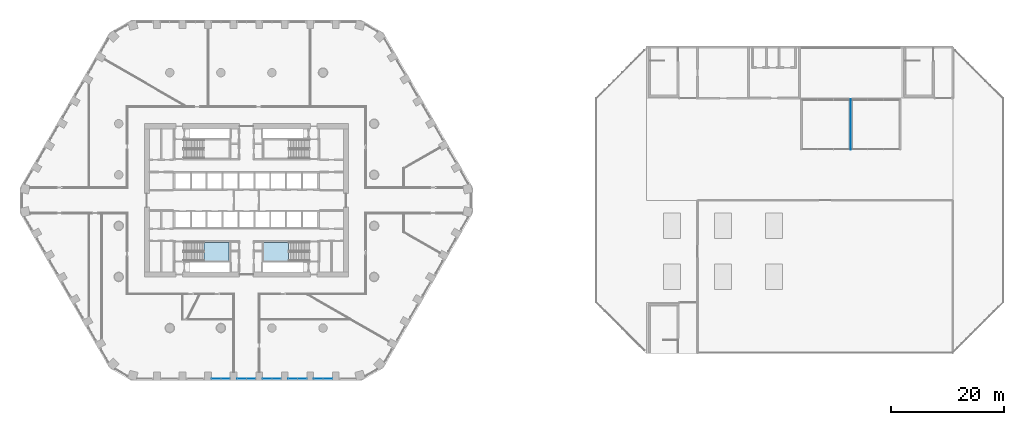
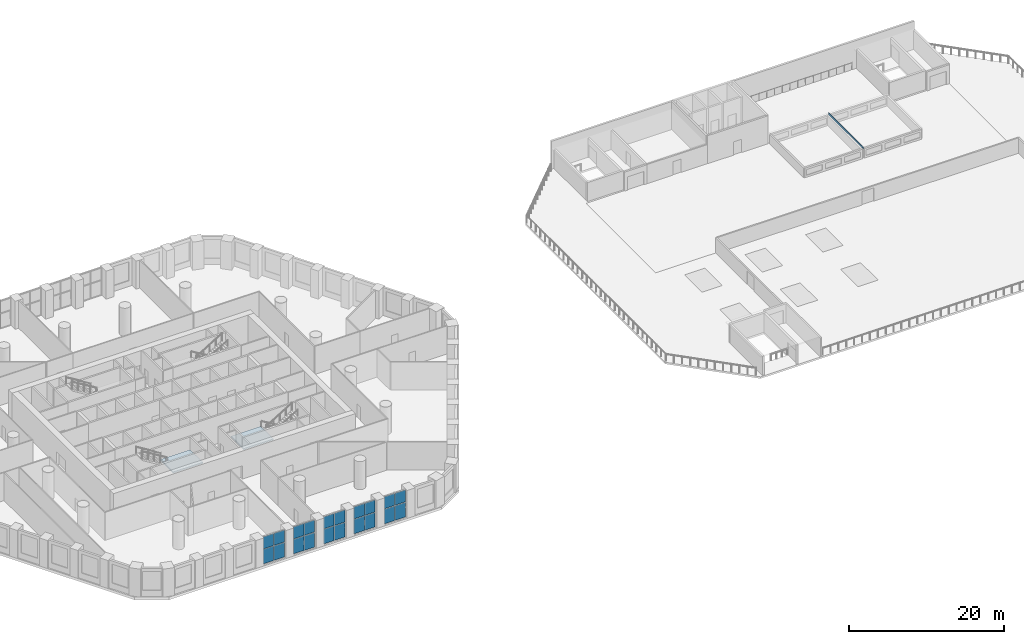
# One storey, part 4 of 21: 20 plates, 2 slabs, 1 member, 7 elements without a shape of their own.
"""IFC4 building model written with IfcOpenShell, lengths in metres."""

from ifc_helpers import new_model, si_unit, direction, frame, origin, origin_2d, place, context, subcontext, project, spatial, polyline, rectangle, outline, extrude, material, layer, layer_set, material_profile, profile_set, type_object, element, aggregate, save


model = new_model("IFC4")

# Units and contexts
model_context = context("Model", 3, precision=1e-05, world=origin(), true_north=direction((0.0, 1.0)))
body_context = subcontext(model_context, "Body", "Model", "MODEL_VIEW")
ifc_project = project(units=[si_unit("LENGTHUNIT", "METRE"), si_unit("AREAUNIT", "SQUARE_METRE"), si_unit("VOLUMEUNIT", "CUBIC_METRE"), si_unit("PLANEANGLEUNIT", "RADIAN"), si_unit("MASSUNIT", "GRAM", prefix="KILO")], contexts=[model_context])

# Site, building, storey
site_placement = place(None, origin())
site = spatial("IfcSite", under=ifc_project, at=site_placement, CompositionType="ELEMENT")
building_placement = place(site_placement, origin())
building = spatial("IfcBuilding", under=site, at=building_placement, Name="Dhurran Vertical Campus", CompositionType="ELEMENT")
storey_placement = place(building_placement, frame((0.0, 0.0, 20.39990234375)))
storey = spatial("IfcBuildingStorey", under=building, at=storey_placement, Name="L04", CompositionType="ELEMENT", Elevation=20.39990234375)

# Member
ifc_material_1 = material(Name="Aluminium", Category="aluminium")
ifc_material_profile = material_profile(ifc_material_1, rectangle(XDim=0.050048828125, YDim=0.300048828125, at=origin_2d()), Name="hl-lantern glazing bar 50x300")
ifc_profile_set = profile_set([ifc_material_profile], Name="Aluminium")
member_type = type_object("IfcMemberType", Name="hl-lantern glazing bar 50x300", PredefinedType="USERDEFINED", material=ifc_profile_set)
member_placement = place(storey_placement, frame((106.5, 8.875, 1.650146484375), z_axis=(0.0, 1.0, 0.0), x_axis=(-1.0, 0.0, 0.0)))
element("IfcMember", 1, at=member_placement, inside=storey, type_object=member_type, Name="LGB1 lantern glazing bar", ObjectType="GLAZING BAR", PredefinedType="USERDEFINED", context=body_context, shape_type="SweptSolid", body=[
    extrude(rectangle(XDim=0.050048828125, YDim=0.300048828125, at=origin_2d()), origin(), (0.0, 0.0, 1.0), 8.949951171875),
])

# Curtain wall, plates
ifc_material_2 = material(Name="Aluminium frame with solar-control glass", Category="aluminium")
ifc_layer_1 = layer(ifc_material_2, 0.25)
ifc_layer_set_1 = layer_set([ifc_layer_1], Name="Aluminium frame with solar-control glass")
curtain_wall_type = type_object("IfcCurtainWallType", Name="Library atrium glazing system", PredefinedType="NOTDEFINED", material=ifc_layer_set_1)
curtain_wall_1_placement = place(storey_placement, origin())
curtain_wall_1 = element("IfcCurtainWall", 2, at=curtain_wall_1_placement, inside=storey, type_object=curtain_wall_type, Name="CW2 L04.03", PredefinedType="NOTDEFINED")
ifc_material_3 = material(Name="Clear solar-control glass", Category="glass")
ifc_layer_2 = layer(ifc_material_3, 0.028076171875)
ifc_layer_set_2 = layer_set([ifc_layer_2], Name="Clear solar-control glass")
plate_type = type_object("IfcPlateType", Name="Library atrium glazing system panel", PredefinedType="CURTAIN_PANEL", material=ifc_layer_set_2)
plate_1_placement = place(storey_placement, frame((-5.309814453125, -31.4296875, 0.06005859375), z_axis=(0.0, 0.0, 1.0), x_axis=(1.0, 0.0, 0.0)))
plate_1 = element("IfcPlate", 3, at=plate_1_placement, type_object=plate_type, Name="CW2 panel 1.1", PredefinedType="CURTAIN_PANEL", context=body_context, shape_type="SweptSolid", body=[
    extrude(rectangle(XDim=1.5595703125, YDim=0.028076171875, at=origin_2d()), origin(), (0.0, 0.0, 1.0), 2.31005859375),
])
plate_2_placement = place(storey_placement, frame((-5.309814453125, -31.4296875, 2.43017578125), z_axis=(0.0, 0.0, 1.0), x_axis=(1.0, 0.0, 0.0)))
plate_2 = element("IfcPlate", 4, at=plate_2_placement, type_object=plate_type, Name="CW2 panel 1.2", PredefinedType="CURTAIN_PANEL", context=body_context, shape_type="SweptSolid", body=[
    extrude(rectangle(XDim=1.5595703125, YDim=0.028076171875, at=origin_2d()), origin(), (0.0, 0.0, 1.0), 1.909912109375),
])
plate_3_placement = place(storey_placement, frame((-3.690185546875, -31.4296875, 0.06005859375), z_axis=(0.0, 0.0, 1.0), x_axis=(1.0, 0.0, 0.0)))
plate_3 = element("IfcPlate", 5, at=plate_3_placement, type_object=plate_type, Name="CW2 panel 2.1", PredefinedType="CURTAIN_PANEL", context=body_context, shape_type="SweptSolid", body=[
    extrude(rectangle(XDim=1.5595703125, YDim=0.028076171875, at=origin_2d()), origin(), (0.0, 0.0, 1.0), 2.31005859375),
])
plate_4_placement = place(storey_placement, frame((-3.690185546875, -31.4296875, 2.43017578125), z_axis=(0.0, 0.0, 1.0), x_axis=(1.0, 0.0, 0.0)))
plate_4 = element("IfcPlate", 6, at=plate_4_placement, type_object=plate_type, Name="CW2 panel 2.2", PredefinedType="CURTAIN_PANEL", context=body_context, shape_type="SweptSolid", body=[
    extrude(rectangle(XDim=1.5595703125, YDim=0.028076171875, at=origin_2d()), origin(), (0.0, 0.0, 1.0), 1.909912109375),
])
aggregate(curtain_wall_1, [plate_1, plate_2, plate_3, plate_4])

curtain_wall_2_placement = place(storey_placement, origin())
curtain_wall_2 = element("IfcCurtainWall", 7, at=curtain_wall_2_placement, inside=storey, type_object=curtain_wall_type, Name="CW2 L04.04", PredefinedType="NOTDEFINED")
plate_5_placement = place(storey_placement, frame((-0.809814453125, -31.4296875, 0.06005859375), z_axis=(0.0, 0.0, 1.0), x_axis=(1.0, 0.0, 0.0)))
plate_5 = element("IfcPlate", 8, at=plate_5_placement, type_object=plate_type, Name="CW2 panel 1.1", PredefinedType="CURTAIN_PANEL", context=body_context, shape_type="SweptSolid", body=[
    extrude(rectangle(XDim=1.5595703125, YDim=0.028076171875, at=origin_2d()), origin(), (0.0, 0.0, 1.0), 2.31005859375),
])
plate_6_placement = place(storey_placement, frame((-0.809814453125, -31.4296875, 2.43017578125), z_axis=(0.0, 0.0, 1.0), x_axis=(1.0, 0.0, 0.0)))
plate_6 = element("IfcPlate", 9, at=plate_6_placement, type_object=plate_type, Name="CW2 panel 1.2", PredefinedType="CURTAIN_PANEL", context=body_context, shape_type="SweptSolid", body=[
    extrude(rectangle(XDim=1.5595703125, YDim=0.028076171875, at=origin_2d()), origin(), (0.0, 0.0, 1.0), 1.909912109375),
])
plate_7_placement = place(storey_placement, frame((0.809814453125, -31.4296875, 0.06005859375), z_axis=(0.0, 0.0, 1.0), x_axis=(1.0, 0.0, 0.0)))
plate_7 = element("IfcPlate", 10, at=plate_7_placement, type_object=plate_type, Name="CW2 panel 2.1", PredefinedType="CURTAIN_PANEL", context=body_context, shape_type="SweptSolid", body=[
    extrude(rectangle(XDim=1.5595703125, YDim=0.028076171875, at=origin_2d()), origin(), (0.0, 0.0, 1.0), 2.31005859375),
])
plate_8_placement = place(storey_placement, frame((0.809814453125, -31.4296875, 2.43017578125), z_axis=(0.0, 0.0, 1.0), x_axis=(1.0, 0.0, 0.0)))
plate_8 = element("IfcPlate", 11, at=plate_8_placement, type_object=plate_type, Name="CW2 panel 2.2", PredefinedType="CURTAIN_PANEL", context=body_context, shape_type="SweptSolid", body=[
    extrude(rectangle(XDim=1.5595703125, YDim=0.028076171875, at=origin_2d()), origin(), (0.0, 0.0, 1.0), 1.909912109375),
])
aggregate(curtain_wall_2, [plate_5, plate_6, plate_7, plate_8])

curtain_wall_3_placement = place(storey_placement, origin())
curtain_wall_3 = element("IfcCurtainWall", 12, at=curtain_wall_3_placement, inside=storey, type_object=curtain_wall_type, Name="CW2 L04.05", PredefinedType="NOTDEFINED")
plate_9_placement = place(storey_placement, frame((3.690185546875, -31.4296875, 0.06005859375), z_axis=(0.0, 0.0, 1.0), x_axis=(1.0, 0.0, 0.0)))
plate_9 = element("IfcPlate", 13, at=plate_9_placement, type_object=plate_type, Name="CW2 panel 1.1", PredefinedType="CURTAIN_PANEL", context=body_context, shape_type="SweptSolid", body=[
    extrude(rectangle(XDim=1.5595703125, YDim=0.028076171875, at=origin_2d()), origin(), (0.0, 0.0, 1.0), 2.31005859375),
])
plate_10_placement = place(storey_placement, frame((3.690185546875, -31.4296875, 2.43017578125), z_axis=(0.0, 0.0, 1.0), x_axis=(1.0, 0.0, 0.0)))
plate_10 = element("IfcPlate", 14, at=plate_10_placement, type_object=plate_type, Name="CW2 panel 1.2", PredefinedType="CURTAIN_PANEL", context=body_context, shape_type="SweptSolid", body=[
    extrude(rectangle(XDim=1.5595703125, YDim=0.028076171875, at=origin_2d()), origin(), (0.0, 0.0, 1.0), 1.909912109375),
])
plate_11_placement = place(storey_placement, frame((5.309814453125, -31.4296875, 0.06005859375), z_axis=(0.0, 0.0, 1.0), x_axis=(1.0, 0.0, 0.0)))
plate_11 = element("IfcPlate", 15, at=plate_11_placement, type_object=plate_type, Name="CW2 panel 2.1", PredefinedType="CURTAIN_PANEL", context=body_context, shape_type="SweptSolid", body=[
    extrude(rectangle(XDim=1.5595703125, YDim=0.028076171875, at=origin_2d()), origin(), (0.0, 0.0, 1.0), 2.31005859375),
])
plate_12_placement = place(storey_placement, frame((5.309814453125, -31.4296875, 2.43017578125), z_axis=(0.0, 0.0, 1.0), x_axis=(1.0, 0.0, 0.0)))
plate_12 = element("IfcPlate", 16, at=plate_12_placement, type_object=plate_type, Name="CW2 panel 2.2", PredefinedType="CURTAIN_PANEL", context=body_context, shape_type="SweptSolid", body=[
    extrude(rectangle(XDim=1.5595703125, YDim=0.028076171875, at=origin_2d()), origin(), (0.0, 0.0, 1.0), 1.909912109375),
])
aggregate(curtain_wall_3, [plate_9, plate_10, plate_11, plate_12])

curtain_wall_4_placement = place(storey_placement, origin())
curtain_wall_4 = element("IfcCurtainWall", 17, at=curtain_wall_4_placement, inside=storey, type_object=curtain_wall_type, Name="CW2 L04.06", PredefinedType="NOTDEFINED")
plate_13_placement = place(storey_placement, frame((8.190185546875, -31.4296875, 0.06005859375), z_axis=(0.0, 0.0, 1.0), x_axis=(1.0, 0.0, 0.0)))
plate_13 = element("IfcPlate", 18, at=plate_13_placement, type_object=plate_type, Name="CW2 panel 1.1", PredefinedType="CURTAIN_PANEL", context=body_context, shape_type="SweptSolid", body=[
    extrude(rectangle(XDim=1.5595703125, YDim=0.028076171875, at=origin_2d()), origin(), (0.0, 0.0, 1.0), 2.31005859375),
])
plate_14_placement = place(storey_placement, frame((8.190185546875, -31.4296875, 2.43017578125), z_axis=(0.0, 0.0, 1.0), x_axis=(1.0, 0.0, 0.0)))
plate_14 = element("IfcPlate", 19, at=plate_14_placement, type_object=plate_type, Name="CW2 panel 1.2", PredefinedType="CURTAIN_PANEL", context=body_context, shape_type="SweptSolid", body=[
    extrude(rectangle(XDim=1.5595703125, YDim=0.028076171875, at=origin_2d()), origin(), (0.0, 0.0, 1.0), 1.909912109375),
])
plate_15_placement = place(storey_placement, frame((9.809814453125, -31.4296875, 0.06005859375), z_axis=(0.0, 0.0, 1.0), x_axis=(1.0, 0.0, 0.0)))
plate_15 = element("IfcPlate", 20, at=plate_15_placement, type_object=plate_type, Name="CW2 panel 2.1", PredefinedType="CURTAIN_PANEL", context=body_context, shape_type="SweptSolid", body=[
    extrude(rectangle(XDim=1.5595703125, YDim=0.028076171875, at=origin_2d()), origin(), (0.0, 0.0, 1.0), 2.31005859375),
])
plate_16_placement = place(storey_placement, frame((9.809814453125, -31.4296875, 2.43017578125), z_axis=(0.0, 0.0, 1.0), x_axis=(1.0, 0.0, 0.0)))
plate_16 = element("IfcPlate", 21, at=plate_16_placement, type_object=plate_type, Name="CW2 panel 2.2", PredefinedType="CURTAIN_PANEL", context=body_context, shape_type="SweptSolid", body=[
    extrude(rectangle(XDim=1.5595703125, YDim=0.028076171875, at=origin_2d()), origin(), (0.0, 0.0, 1.0), 1.909912109375),
])
aggregate(curtain_wall_4, [plate_13, plate_14, plate_15, plate_16])

curtain_wall_5_placement = place(storey_placement, origin())
curtain_wall_5 = element("IfcCurtainWall", 22, at=curtain_wall_5_placement, inside=storey, type_object=curtain_wall_type, Name="CW2 L04.07", PredefinedType="NOTDEFINED")
plate_17_placement = place(storey_placement, frame((12.690185546875, -31.4296875, 0.06005859375), z_axis=(0.0, 0.0, 1.0), x_axis=(1.0, 0.0, 0.0)))
plate_17 = element("IfcPlate", 23, at=plate_17_placement, type_object=plate_type, Name="CW2 panel 1.1", PredefinedType="CURTAIN_PANEL", context=body_context, shape_type="SweptSolid", body=[
    extrude(rectangle(XDim=1.5595703125, YDim=0.028076171875, at=origin_2d()), origin(), (0.0, 0.0, 1.0), 2.31005859375),
])
plate_18_placement = place(storey_placement, frame((12.690185546875, -31.4296875, 2.43017578125), z_axis=(0.0, 0.0, 1.0), x_axis=(1.0, 0.0, 0.0)))
plate_18 = element("IfcPlate", 24, at=plate_18_placement, type_object=plate_type, Name="CW2 panel 1.2", PredefinedType="CURTAIN_PANEL", context=body_context, shape_type="SweptSolid", body=[
    extrude(rectangle(XDim=1.5595703125, YDim=0.028076171875, at=origin_2d()), origin(), (0.0, 0.0, 1.0), 1.909912109375),
])
plate_19_placement = place(storey_placement, frame((14.309814453125, -31.4296875, 0.06005859375), z_axis=(0.0, 0.0, 1.0), x_axis=(1.0, 0.0, 0.0)))
plate_19 = element("IfcPlate", 25, at=plate_19_placement, type_object=plate_type, Name="CW2 panel 2.1", PredefinedType="CURTAIN_PANEL", context=body_context, shape_type="SweptSolid", body=[
    extrude(rectangle(XDim=1.5595703125, YDim=0.028076171875, at=origin_2d()), origin(), (0.0, 0.0, 1.0), 2.31005859375),
])
plate_20_placement = place(storey_placement, frame((14.309814453125, -31.4296875, 2.43017578125), z_axis=(0.0, 0.0, 1.0), x_axis=(1.0, 0.0, 0.0)))
plate_20 = element("IfcPlate", 26, at=plate_20_placement, type_object=plate_type, Name="CW2 panel 2.2", PredefinedType="CURTAIN_PANEL", context=body_context, shape_type="SweptSolid", body=[
    extrude(rectangle(XDim=1.5595703125, YDim=0.028076171875, at=origin_2d()), origin(), (0.0, 0.0, 1.0), 1.909912109375),
])
aggregate(curtain_wall_5, [plate_17, plate_18, plate_19, plate_20])

# Stair, slab
ifc_material_4 = material(Name="Concrete C40/50", Category="concrete")
stair_type = type_object("IfcStairType", Name="co-ST-CORE", PredefinedType="HALF_TURN_STAIR", material=ifc_material_4)
stair_1_placement = place(storey_placement, origin())
stair_1 = element("IfcStair", 27, at=stair_1_placement, inside=storey, type_object=stair_type, Name="L04 Protected exit stair ST3", PredefinedType="HALF_TURN_STAIR")
ifc_material_5 = material(Name="Concrete C40/50", Category="concrete")
ifc_layer_3 = layer(ifc_material_5, 0.199951171875)
ifc_layer_set_3 = layer_set([ifc_layer_3], Name="Concrete C40/50")
slab_type = type_object("IfcSlabType", Name="co-SL-LANDING", PredefinedType="LANDING", material=ifc_layer_set_3)
slab_1_placement = place(storey_placement, frame((0.0, 0.0, 2.2001953125)))
slab_1 = element("IfcSlab", 28, at=slab_1_placement, type_object=slab_type, Name="ST3 landing 1", PredefinedType="LANDING", context=body_context, shape_type="SweptSolid", body=[
    extrude(outline(polyline([(-7.4599609375, -10.64990234375), (-3.050048828125, -10.64990234375), (-3.050048828125, -7.39990234375), (-7.4599609375, -7.39990234375), (-7.4599609375, -10.64990234375)])), origin(), (0.0, 0.0, 1.0), 0.199951171875),
])
aggregate(stair_1, [slab_1])

stair_2_placement = place(storey_placement, origin())
stair_2 = element("IfcStair", 29, at=stair_2_placement, inside=storey, type_object=stair_type, Name="L04 Protected exit stair ST4", PredefinedType="HALF_TURN_STAIR")
slab_2_placement = place(storey_placement, frame((0.0, 0.0, 2.2001953125)))
slab_2 = element("IfcSlab", 30, at=slab_2_placement, type_object=slab_type, Name="ST4 landing 1", PredefinedType="LANDING", context=body_context, shape_type="SweptSolid", body=[
    extrude(outline(polyline([(7.4599609375, -7.39990234375), (3.050048828125, -7.39990234375), (3.050048828125, -10.64990234375), (7.4599609375, -10.64990234375), (7.4599609375, -7.39990234375)])), origin(), (0.0, 0.0, 1.0), 0.199951171875),
])
aggregate(stair_2, [slab_2])

save(model, "model.ifc")
